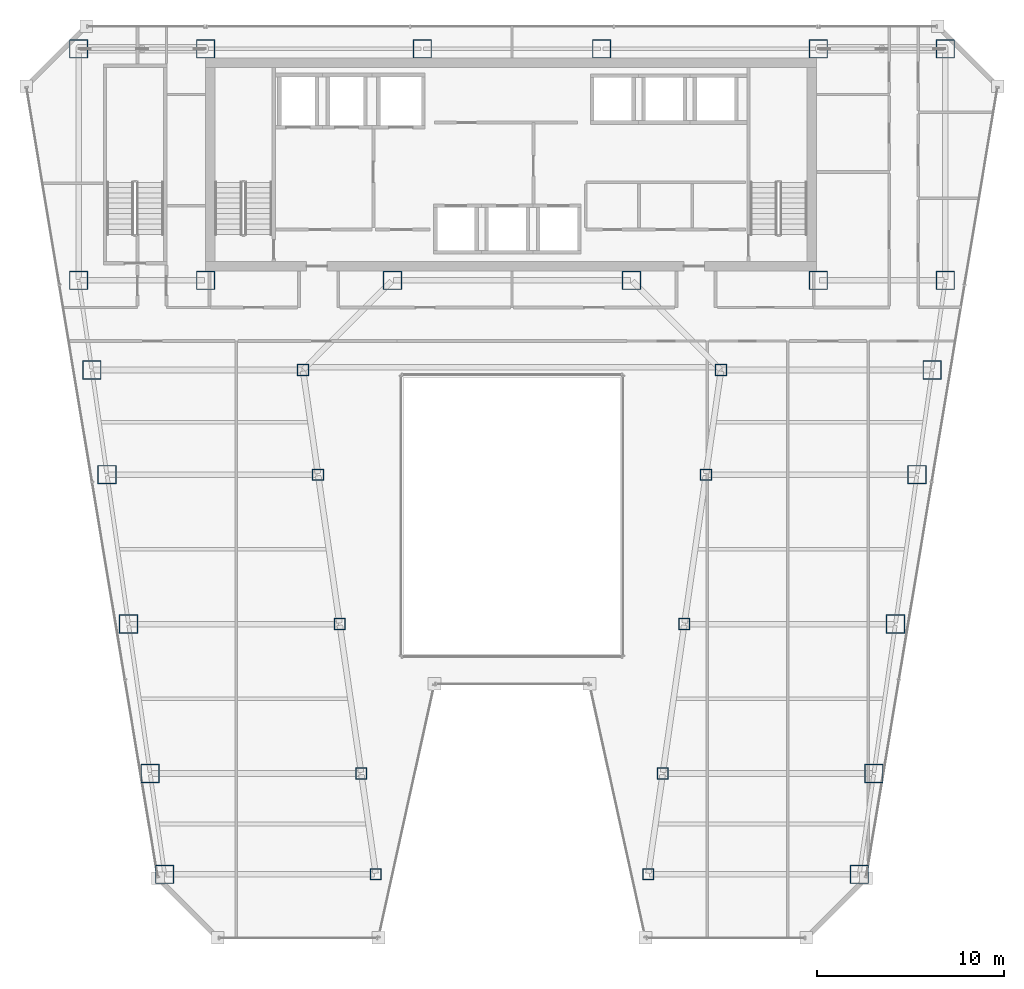
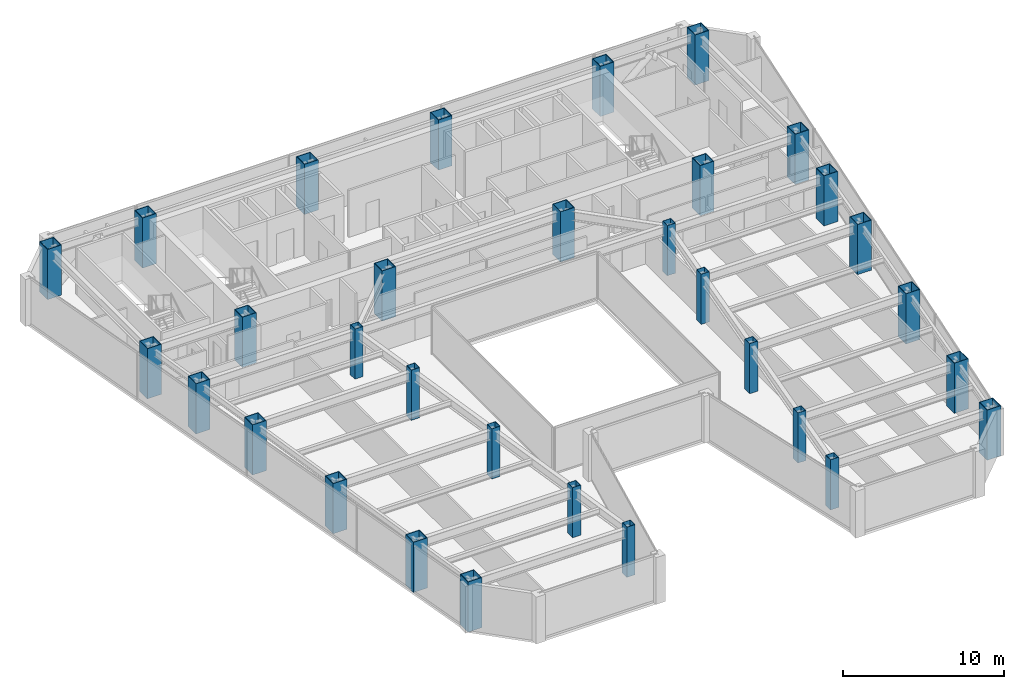
# One storey, part 1 of 37: 32 columns.
"""IFC4 building model written with IfcOpenShell, lengths in metres."""

import ifcopenshell
import ifcopenshell.guid

model = None  # the IFC model being written
_history = None  # IfcOwnerHistory: only IFC2X3 demands one
_inside = {}  # id of a spatial element -> (the spatial element, [elements in it])
_under = {}  # id of a project, library or spatial element -> (it, [spatial elements below it])
_declared = {}  # id of a project -> (the project, [libraries it declares])
_typed = {}  # id of a type object -> (the type object, [elements of that type])
_made_of = {}  # id of a material, layer set ... -> (it, [elements and type objects made of it])


def new_model(schema):
    """Start an empty IFC model of exactly this schema.

    Asked for "IFC4X3", IfcOpenShell would pick the latest addendum, in which some entities
    have other attributes; the version numbers below select the first issue.
    IFC2X3 requires an IfcOwnerHistory on every rooted entity: one is made here for all.
    """
    global model, _history
    if schema == "IFC4X3":
        model = ifcopenshell.file(schema_version=(4, 3, 0, 0))
    else:
        model = ifcopenshell.file(schema=schema)
    _inside.clear()
    _under.clear()
    _declared.clear()
    _typed.clear()
    _made_of.clear()
    _history = None
    if model.schema == "IFC2X3":
        org = make("IfcOrganization", Name="unknown")
        user = make(
            "IfcPersonAndOrganization",
            ThePerson=make("IfcPerson", FamilyName="unknown"),
            TheOrganization=org,
        )
        app = make(
            "IfcApplication",
            ApplicationDeveloper=org,
            Version="unknown",
            ApplicationFullName="unknown",
            ApplicationIdentifier="unknown",
        )
        _history = make(
            "IfcOwnerHistory",
            OwningUser=user,
            OwningApplication=app,
            ChangeAction="ADDED",
            CreationDate=0,
        )
    return model


def make(cls, **values):
    """One entity of the class cls with the attributes given. An attribute that is None is left unset."""
    return model.create_entity(
        cls, **{name: value for name, value in values.items() if value is not None}
    )


def rooted(cls, **values):
    """An entity with a GlobalId (a new one), such as an element, a storey or a relation."""
    return make(cls, GlobalId=ifcopenshell.guid.new(), OwnerHistory=_history, **values)


def si_unit(unit_type, name, prefix=None):
    """IfcSIUnit, for example si_unit("LENGTHUNIT", "METRE", prefix="MILLI")."""
    return make("IfcSIUnit", UnitType=unit_type, Prefix=prefix, Name=name)


def assignment(units):
    """IfcUnitAssignment: the units of a project."""
    return None if units is None else make("IfcUnitAssignment", Units=units)


def point(xyz):
    """IfcCartesianPoint."""
    return None if xyz is None else make("IfcCartesianPoint", Coordinates=xyz)


def direction(xyz):
    """IfcDirection."""
    return None if xyz is None else make("IfcDirection", DirectionRatios=xyz)


def frame(location, z_axis=None, x_axis=None):
    """IfcAxis2Placement3D, a coordinate frame: its origin and axes. An axis left out is left unset."""
    return make(
        "IfcAxis2Placement3D",
        Location=point(location),
        Axis=direction(z_axis),
        RefDirection=direction(x_axis),
    )


def frame_2d(location, x_axis=None):
    """IfcAxis2Placement2D, a coordinate frame in the plane: its origin and x axis."""
    return make(
        "IfcAxis2Placement2D", Location=point(location), RefDirection=direction(x_axis)
    )


def origin():
    """The frame at (0, 0, 0) with its axes left unset."""
    return frame((0.0, 0.0, 0.0))


def origin_2d():
    """The frame at (0, 0) in the plane with its x axis left unset."""
    return frame_2d((0.0, 0.0))


def place(relative_to, where):
    """IfcLocalPlacement: puts the frame where relative to a parent placement (None: the world)."""
    return make(
        "IfcLocalPlacement", PlacementRelTo=relative_to, RelativePlacement=where
    )


def context(
    kind, dimensions, precision=None, world=None, true_north=None, identifier=None
):
    """IfcGeometricRepresentationContext, for example the 3D "Model" context."""
    return make(
        "IfcGeometricRepresentationContext",
        ContextIdentifier=identifier,
        ContextType=kind,
        CoordinateSpaceDimension=dimensions,
        Precision=precision,
        WorldCoordinateSystem=world,
        TrueNorth=true_north,
    )


def subcontext(parent, identifier, kind, view, scale=None):
    """IfcGeometricRepresentationSubContext, for example "Body" below "Model"."""
    return make(
        "IfcGeometricRepresentationSubContext",
        ContextIdentifier=identifier,
        ContextType=kind,
        ParentContext=parent,
        TargetScale=scale,
        TargetView=view,
    )


def project(units=None, contexts=None):
    """IfcProject with its units and contexts."""
    return rooted(
        "IfcProject",
        Name="project",
        RepresentationContexts=contexts,
        UnitsInContext=assignment(units),
    )


def spatial(cls, under=None, at=None, **own):
    """A site, building, storey or space (cls), placed at a placement, below another one or the project."""
    s = rooted(cls, ObjectPlacement=at, **own)
    if under is not None:
        _under.setdefault(under.id(), (under, []))[1].append(s)
    return s


def profile(cls, at=None, kind="AREA", **sizes):
    """A parametric profile (cls). Its sizes go by their IFC names, for example OverallWidth=200.0."""
    return make(cls, ProfileType=kind, Position=at, **sizes)


def hollow_rectangle(**sizes):
    """IfcRectangleHollowProfileDef."""
    return profile("IfcRectangleHollowProfileDef", **sizes)


def extrude(swept, where, along, depth):
    """IfcExtrudedAreaSolid: the profile swept, set in the frame where, extruded along a direction by depth."""
    return make(
        "IfcExtrudedAreaSolid",
        SweptArea=swept,
        Position=where,
        ExtrudedDirection=direction(along),
        Depth=depth,
    )


def shape(context_of_items, identifier, shape_type, items):
    """IfcShapeRepresentation: the items that make up one representation, for example the "Body"."""
    return make(
        "IfcShapeRepresentation",
        ContextOfItems=context_of_items,
        RepresentationIdentifier=identifier,
        RepresentationType=shape_type,
        Items=items,
    )


def material(Name=None, Category=None):
    """IfcMaterial."""
    return make("IfcMaterial", Name=Name, Category=Category)


def material_profile(
    of_material, cross_section, Name=None, Category=None, Priority=None
):
    """IfcMaterialProfile: a cross section and its material."""
    return make(
        "IfcMaterialProfile",
        Name=Name,
        Material=of_material,
        Profile=cross_section,
        Priority=Priority,
        Category=Category,
    )


def profile_set(profiles, Name=None, composite=None):
    """IfcMaterialProfileSet."""
    return make(
        "IfcMaterialProfileSet",
        Name=Name,
        MaterialProfiles=profiles,
        CompositeProfile=composite,
    )


def made_of(thing, what):
    """Note that an element or type object is made of a material, layer set ...; save() writes the relation."""
    if what is not None:
        _made_of.setdefault(what.id(), (what, []))[1].append(thing)
    return thing


def type_object(cls, material=None, **own):
    """A type object (cls), such as IfcWallType, which elements share."""
    return made_of(rooted(cls, **own), material)


def element(
    cls,
    number,
    at=None,
    inside=None,
    cuts=None,
    type_object=None,
    material=None,
    context=None,
    identifier="Body",
    shape_type=None,
    held_by="IfcProductDefinitionShape",
    body=None,
    shapes=None,
    **own,
):
    """One element of the class cls, such as IfcWall. Its Tag is "e" and its number.

    at: its placement. inside: the storey or other place that contains it. cuts: it is an
    opening in that element (IfcRelVoidsElement). A single representation is given by context,
    identifier, shape_type and body (its items); several are given by shapes. held_by: the class
    of the entity that holds the representations. save() writes the other relations.
    """
    e = rooted(cls, Tag="e%d" % number, ObjectPlacement=at, **own)
    if body is not None:
        shapes = [shape(context, identifier, shape_type, body)]
    if shapes is not None:
        e.Representation = make(held_by, Representations=shapes)
    if inside is not None:
        _inside.setdefault(inside.id(), (inside, []))[1].append(e)
    if cuts is not None:
        rooted(
            "IfcRelVoidsElement", RelatingBuildingElement=cuts, RelatedOpeningElement=e
        )
    if type_object is not None:
        _typed.setdefault(type_object.id(), (type_object, []))[1].append(e)
    return made_of(e, material)


def aggregate(whole, parts):
    """IfcRelAggregates: a whole, such as a stair, and the parts it consists of."""
    return rooted("IfcRelAggregates", RelatingObject=whole, RelatedObjects=parts)


def save(model, path):
    """Write the relations noted so far, then the file.

    IfcRelAggregates (storeys below a building ...), IfcRelContainedInSpatialStructure (elements
    in a storey), IfcRelDefinesByType, IfcRelAssociatesMaterial and IfcRelDeclares: one each for
    every whole, place, type object, material and project.
    """
    for whole, parts in _under.values():
        aggregate(whole, parts)
    for where, things in _inside.values():
        rooted(
            "IfcRelContainedInSpatialStructure",
            RelatedElements=things,
            RelatingStructure=where,
        )
    for kind, things in _typed.values():
        rooted("IfcRelDefinesByType", RelatedObjects=things, RelatingType=kind)
    for what, things in _made_of.values():
        rooted("IfcRelAssociatesMaterial", RelatedObjects=things, RelatingMaterial=what)
    for by, libraries in _declared.values():
        rooted("IfcRelDeclares", RelatingContext=by, RelatedDefinitions=libraries)
    model.write(path)


model = new_model("IFC4")

# Units and contexts
model_context = context("Model", 3, precision=1e-05, world=origin(), true_north=direction((0.0, 1.0)))
body_context = subcontext(model_context, "Body", "Model", "MODEL_VIEW")
ifc_project = project(units=[si_unit("LENGTHUNIT", "METRE"), si_unit("AREAUNIT", "SQUARE_METRE"), si_unit("VOLUMEUNIT", "CUBIC_METRE"), si_unit("PLANEANGLEUNIT", "RADIAN"), si_unit("MASSUNIT", "GRAM", prefix="KILO")], contexts=[model_context])

# Site, building, storey
site_placement = place(None, origin())
site = spatial("IfcSite", under=ifc_project, at=site_placement, CompositionType="ELEMENT")
building_placement = place(site_placement, origin())
building = spatial("IfcBuilding", under=site, at=building_placement, Name="Saevonmaru Cultural Tower", CompositionType="ELEMENT")
storey_placement = place(building_placement, frame((0.0, 0.0, 141.0)))
storey = spatial("IfcBuildingStorey", under=building, at=storey_placement, Name="L30", CompositionType="ELEMENT", Elevation=141.0)

# Columns
ifc_material_1 = material(Name="Steel SM420", Category="steel")
ifc_material_profile_1 = material_profile(ifc_material_1, hollow_rectangle(XDim=1.0, YDim=1.0, WallThickness=0.044921875, at=origin_2d()), Name="BOX-1000x1000x45")
ifc_profile_set_1 = profile_set([ifc_material_profile_1], Name="Steel SM420")
column_type_1 = type_object("IfcColumnType", Name="COL-BOX-1000", PredefinedType="COLUMN", material=ifc_profile_set_1)
for number, where, z_axis, x_axis, name in (
    (1, (6.800048828125, 54.800048828125, 0.0), (0.0, 0.0, 1.0), (1.0, 0.0, 0.0), "L30 Column TC-N1N"),
    (2, (13.60009765625, 54.800048828125, 0.0), (0.0, 0.0, 1.0), (1.0, 0.0, 0.0), "L30 Column TC-N2N"),
    (3, (25.199951171875, 54.800048828125, 0.0), (0.0, 0.0, 1.0), (1.0, 0.0, 0.0), "L30 Column TC-N3N"),
    (4, (34.800048828125, 54.800048828125, 0.0), (0.0, 0.0, 1.0), (1.0, 0.0, 0.0), "L30 Column TC-N4N"),
    (5, (46.39990234375, 54.800048828125, 0.0), (0.0, 0.0, 1.0), (1.0, 0.0, 0.0), "L30 Column TC-N5N"),
    (6, (53.199951171875, 54.800048828125, 0.0), (0.0, 0.0, 1.0), (1.0, 0.0, 0.0), "L30 Column TC-N6N"),
    (7, (6.800048828125, 42.39990234375, 0.0), (0.0, 0.0, 1.0), (1.0, 0.0, 0.0), "L30 Column TC-S1C"),
    (8, (13.60009765625, 42.39990234375, 0.0), (0.0, 0.0, 1.0), (1.0, 0.0, 0.0), "L30 Column TC-S2C"),
    (9, (23.60009765625, 42.39990234375, 0.0), (0.0, 0.0, 1.0), (1.0, 0.0, 0.0), "L30 Column TC-S3C"),
    (10, (36.39990234375, 42.39990234375, 0.0), (0.0, 0.0, 1.0), (1.0, 0.0, 0.0), "L30 Column TC-S4C"),
    (11, (46.39990234375, 42.39990234375, 0.0), (0.0, 0.0, 1.0), (1.0, 0.0, 0.0), "L30 Column TC-S5C"),
    (12, (53.199951171875, 42.39990234375, 0.0), (0.0, 0.0, 1.0), (1.0, 0.0, 0.0), "L30 Column TC-S6C"),
    (13, (11.407958984375, 10.60009765625, 0.0), (0.0, 0.0, 1.0), (1.0, 0.0, 0.0), "L30 Column TC-WO-Y106"),
    (14, (48.592041015625, 10.60009765625, 0.0), (0.0, 0.0, 1.0), (1.0, 0.0, 0.0), "L30 Column TC-EO-Y106"),
    (15, (10.6279296875, 16.0, 0.0), (0.0, 0.0, 1.0), (1.0, 0.0, 0.0), "L30 Column TC-WO-Y160"),
    (16, (49.3720703125, 16.0, 0.0), (0.0, 0.0, 1.0), (1.0, 0.0, 0.0), "L30 Column TC-EO-Y160"),
    (17, (9.471923828125, 24.0, 0.0), (0.0, 0.0, 1.0), (1.0, 0.0, 0.0), "L30 Column TC-WO-Y240"),
    (18, (50.528076171875, 24.0, 0.0), (0.0, 0.0, 1.0), (1.0, 0.0, 0.0), "L30 Column TC-EO-Y240"),
    (19, (8.31689453125, 32.0, 0.0), (0.0, 0.0, 1.0), (1.0, 0.0, 0.0), "L30 Column TC-WO-Y320"),
    (20, (51.68310546875, 32.0, 0.0), (0.0, 0.0, 1.0), (1.0, 0.0, 0.0), "L30 Column TC-EO-Y320"),
    (21, (7.508056640625, 37.60009765625, 0.0), (0.0, 0.0, 1.0), (1.0, 0.0, 0.0), "L30 Column TC-WO-Y376"),
    (22, (52.491943359375, 37.60009765625, 0.0), (0.0, 0.0, 1.0), (1.0, 0.0, 0.0), "L30 Column TC-EO-Y376"),
):
    element("IfcColumn", number, at=place(storey_placement, frame(where, z_axis=z_axis, x_axis=x_axis)), inside=storey, type_object=column_type_1, Name=name, PredefinedType="COLUMN", context=body_context, shape_type="SweptSolid", body=[
        extrude(hollow_rectangle(XDim=1.0, YDim=1.0, WallThickness=0.044921875, at=origin_2d()), origin(), (0.0, 0.0, 1.0), 3.800048828125),
    ])
ifc_material_2 = material(Name="Steel SM355", Category="steel")
ifc_material_profile_2 = material_profile(ifc_material_2, hollow_rectangle(XDim=0.60009765625, YDim=0.60009765625, WallThickness=0.028076171875, at=origin_2d()), Name="BOX-600x600x28")
ifc_profile_set_2 = profile_set([ifc_material_profile_2], Name="Steel SM355")
column_type_2 = type_object("IfcColumnType", Name="COL-BOX-600", PredefinedType="COLUMN", material=ifc_profile_set_2)
for number, where, z_axis, x_axis, name in (
    (23, (22.7080078125, 10.60009765625, 0.0), (0.0, 0.0, 1.0), (1.0, 0.0, 0.0), "L30 Column TC-WI-Y106"),
    (24, (37.2919921875, 10.60009765625, 0.0), (0.0, 0.0, 1.0), (1.0, 0.0, 0.0), "L30 Column TC-EI-Y106"),
    (25, (21.927978515625, 16.0, 0.0), (0.0, 0.0, 1.0), (1.0, 0.0, 0.0), "L30 Column TC-WI-Y160"),
    (26, (38.072021484375, 16.0, 0.0), (0.0, 0.0, 1.0), (1.0, 0.0, 0.0), "L30 Column TC-EI-Y160"),
    (27, (20.77197265625, 24.0, 0.0), (0.0, 0.0, 1.0), (1.0, 0.0, 0.0), "L30 Column TC-WI-Y240"),
    (28, (39.22802734375, 24.0, 0.0), (0.0, 0.0, 1.0), (1.0, 0.0, 0.0), "L30 Column TC-EI-Y240"),
    (29, (19.616943359375, 32.0, 0.0), (0.0, 0.0, 1.0), (1.0, 0.0, 0.0), "L30 Column TC-WI-Y320"),
    (30, (40.383056640625, 32.0, 0.0), (0.0, 0.0, 1.0), (1.0, 0.0, 0.0), "L30 Column TC-EI-Y320"),
    (31, (18.80810546875, 37.60009765625, 0.0), (0.0, 0.0, 1.0), (1.0, 0.0, 0.0), "L30 Column TC-WI-Y376"),
    (32, (41.19189453125, 37.60009765625, 0.0), (0.0, 0.0, 1.0), (1.0, 0.0, 0.0), "L30 Column TC-EI-Y376"),
):
    element("IfcColumn", number, at=place(storey_placement, frame(where, z_axis=z_axis, x_axis=x_axis)), inside=storey, type_object=column_type_2, Name=name, PredefinedType="COLUMN", context=body_context, shape_type="SweptSolid", body=[
        extrude(hollow_rectangle(XDim=0.60009765625, YDim=0.60009765625, WallThickness=0.028076171875, at=origin_2d()), origin(), (0.0, 0.0, 1.0), 3.800048828125),
    ])

save(model, "model.ifc")
